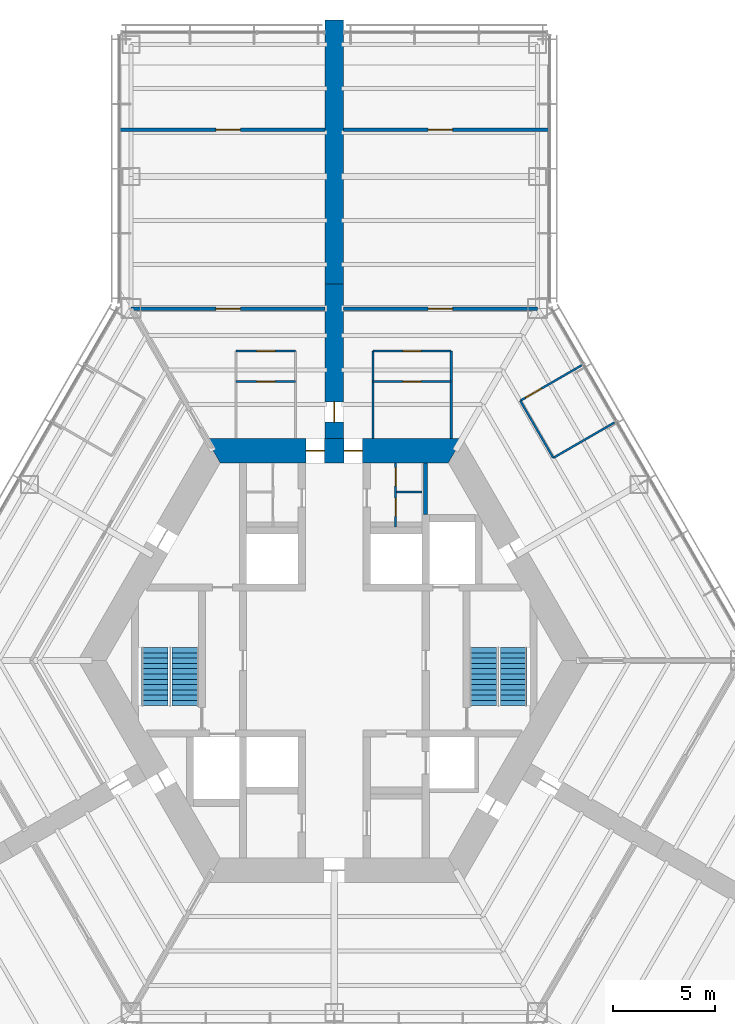
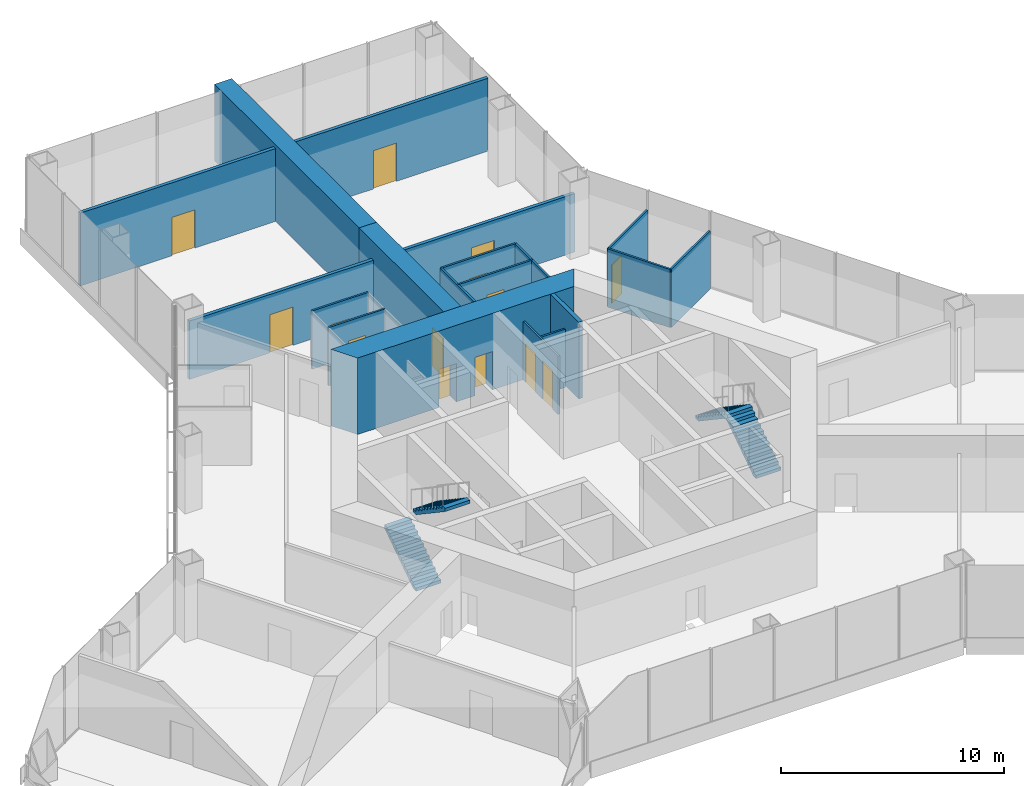
# One storey, part 13 of 16: 19 walls, 14 doors, 4 stair flights, 14 openings, 2 elements without a shape of their own.
"""IFC4 building model written with IfcOpenShell, lengths in metres."""

from ifc_helpers import new_model, si_unit, direction, frame, frame_2d, origin, place, context, subcontext, project, spatial, polyline, rectangle, outline, extrude, material, layer, layer_set, type_object, element, fill, aggregate, save


model = new_model("IFC4")

# Units and contexts
model_context = context("Model", 3, precision=1e-05, world=origin(), true_north=direction((0.0, 1.0)))
body_context = subcontext(model_context, "Body", "Model", "MODEL_VIEW")
ifc_project = project(units=[si_unit("LENGTHUNIT", "METRE"), si_unit("AREAUNIT", "SQUARE_METRE"), si_unit("VOLUMEUNIT", "CUBIC_METRE"), si_unit("PLANEANGLEUNIT", "RADIAN"), si_unit("MASSUNIT", "GRAM", prefix="KILO")], contexts=[model_context])

# Site, building, storey
site_placement = place(None, origin())
site = spatial("IfcSite", under=ifc_project, at=site_placement, CompositionType="ELEMENT")
building_placement = place(site_placement, origin())
building = spatial("IfcBuilding", under=site, at=building_placement, Name="Kasaneha Research Tower", CompositionType="ELEMENT")
storey_placement = place(building_placement, frame((0.0, 0.0, 14.199951171875)))
storey = spatial("IfcBuildingStorey", under=building, at=storey_placement, Name="L04", CompositionType="ELEMENT", Elevation=14.199951171875)

# Wall, openings, doors
ifc_material_1 = material(Name="Concrete Fc100", Category="concrete")
ifc_layer_1 = layer(ifc_material_1, 1.199951171875)
ifc_layer_set_1 = layer_set([ifc_layer_1], Name="Core wall 1200 Fc100")
wall_type_1 = type_object("IfcWallType", Name="Core wall 1200 Fc100", PredefinedType="SHEAR", material=ifc_layer_set_1)
wall_1_placement = place(storey_placement, frame((5.961181640625, 10.324951171875, 0.0), z_axis=(0.0, 0.0, 1.0), x_axis=(-1.0, 0.0, 0.0)))
wall_1 = element("IfcWall", 1, at=wall_1_placement, inside=storey, type_object=wall_type_1, Name="Core wall 090 L04", PredefinedType="SHEAR", context=body_context, shape_type="SweptSolid", body=[
    extrude(outline(polyline([(-0.346435546875, -0.60009765625), (4.57373046875, -0.60009765625), (5.4736328125, -0.60009765625), (6.44873046875, -0.60009765625), (7.3486328125, -0.60009765625), (12.268798828125, -0.60009765625), (11.575927734375, 0.60009765625), (7.3486328125, 0.60009765625), (6.44873046875, 0.60009765625), (5.4736328125, 0.60009765625), (4.57373046875, 0.60009765625), (0.346435546875, 0.60009765625), (-0.346435546875, -0.60009765625)])), origin(), (0.0, 0.0, 1.0), 4.199951171875),
])
opening_1_placement = place(wall_1_placement, frame((6.44873046875, 0.0, 0.0)))
opening_1 = element("IfcOpeningElement", 2, at=opening_1_placement, cuts=wall_1, Name="Opening L04-D01", PredefinedType="OPENING", context=body_context, shape_type="SweptSolid", body=[
    extrude(rectangle(XDim=0.89990234375, YDim=2.10009765625, at=frame_2d((0.449951171875, 1.050048828125))), frame((0.0, 0.60986328125, 0.0), z_axis=(0.0, -1.0, 0.0), x_axis=(1.0, 0.0, 0.0)), (0.0, 0.0, 1.0), 1.219970703125),
])
opening_2_placement = place(wall_1_placement, frame((4.57373046875, 0.0, 0.0)))
opening_2 = element("IfcOpeningElement", 3, at=opening_2_placement, cuts=wall_1, Name="Opening L04-D02", PredefinedType="OPENING", context=body_context, shape_type="SweptSolid", body=[
    extrude(rectangle(XDim=0.89990234375, YDim=2.10009765625, at=frame_2d((0.449951171875, 1.050048828125))), frame((0.0, 0.60986328125, 0.0), z_axis=(0.0, -1.0, 0.0), x_axis=(1.0, 0.0, 0.0)), (0.0, 0.0, 1.0), 1.219970703125),
])
ifc_material_2 = material(Name="Steel", Category="steel")
door_type_1 = type_object("IfcDoorType", Name="Toilet door FD20 900x2100", OperationType="NOTDEFINED", PredefinedType="DOOR", material=ifc_material_2)
door_1_placement = place(opening_1_placement, origin())
door_1 = element("IfcDoor", 4, at=door_1_placement, inside=storey, type_object=door_type_1, Name="Core door north 1 L04-D01", OperationType="SINGLE_SWING_RIGHT", OverallHeight=2.10009765625, OverallWidth=0.89990234375, PredefinedType="DOOR", context=body_context, shape_type="SweptSolid", body=[
    extrude(rectangle(XDim=0.89990234375, YDim=2.10009765625, at=frame_2d((0.449951171875, 1.050048828125))), frame((0.0, 0.02490234375, 0.0), z_axis=(0.0, -1.0, 0.0), x_axis=(1.0, 0.0, 0.0)), (0.0, 0.0, 1.0), 0.050048828125),
])
fill(opening_1, door_1)
door_2_placement = place(opening_2_placement, origin())
door_2 = element("IfcDoor", 5, at=door_2_placement, inside=storey, type_object=door_type_1, Name="Core door north 2 L04-D02", OperationType="SINGLE_SWING_LEFT", OverallHeight=2.10009765625, OverallWidth=0.89990234375, PredefinedType="DOOR", context=body_context, shape_type="SweptSolid", body=[
    extrude(rectangle(XDim=0.89990234375, YDim=2.10009765625, at=frame_2d((0.449951171875, 1.050048828125))), frame((0.0, 0.02490234375, 0.0), z_axis=(0.0, -1.0, 0.0), x_axis=(1.0, 0.0, 0.0)), (0.0, 0.0, 1.0), 0.050048828125),
])
fill(opening_2, door_2)

# Wall, opening, door
ifc_material_3 = material(Name="Gypsum board on steel studs, two layers each side", Category="steel")
ifc_layer_2 = layer(ifc_material_3, 0.175048828125)
ifc_layer_set_2 = layer_set([ifc_layer_2], Name="Laboratory fire partition 175")
wall_type_2 = type_object("IfcWallType", Name="Laboratory fire partition 175", PredefinedType="PARTITIONING", material=ifc_layer_set_2)
wall_2_placement = place(storey_placement, frame((0.449951171875, 17.320556640625, 0.0), z_axis=(0.0, 0.0, 1.0), x_axis=(1.0, 0.0, 0.0)))
wall_2 = element("IfcWall", 6, at=wall_2_placement, inside=storey, type_object=wall_type_2, Name="Laboratory fire partition LABA-E L04", PredefinedType="PARTITIONING", context=body_context, shape_type="SweptSolid", body=[
    extrude(rectangle(XDim=9.550048828125, YDim=0.175048828125, at=frame_2d((4.77490234375, 0.0))), origin(), (0.0, 0.0, 1.0), 3.2080078125),
])
opening_3_placement = place(wall_2_placement, frame((4.175048828125, 0.0, 0.0)))
opening_3 = element("IfcOpeningElement", 7, at=opening_3_placement, cuts=wall_2, Name="Opening L04-D29", PredefinedType="OPENING", context=body_context, shape_type="SweptSolid", body=[
    extrude(rectangle(XDim=1.199951171875, YDim=2.10009765625, at=frame_2d((0.60009765625, 1.050048828125))), frame((0.0, 0.09765625, 0.0), z_axis=(0.0, -1.0, 0.0), x_axis=(1.0, 0.0, 0.0)), (0.0, 0.0, 1.0), 0.195068359375),
])
ifc_material_4 = material(Name="Steel", Category="steel")
door_type_2 = type_object("IfcDoorType", Name="Laboratory door FD60 1200x2100", OperationType="DOUBLE_DOOR_SINGLE_SWING", PredefinedType="DOOR", material=ifc_material_4)
door_3_placement = place(opening_3_placement, origin())
door_3 = element("IfcDoor", 8, at=door_3_placement, inside=storey, type_object=door_type_2, Name="Laboratory door L04-D29", OperationType="DOUBLE_DOOR_SINGLE_SWING", OverallHeight=2.10009765625, OverallWidth=1.199951171875, PredefinedType="DOOR", context=body_context, shape_type="SweptSolid", body=[
    extrude(rectangle(XDim=1.199951171875, YDim=2.10009765625, at=frame_2d((0.60009765625, 1.050048828125))), frame((0.0, 0.02490234375, 0.0), z_axis=(0.0, -1.0, 0.0), x_axis=(1.0, 0.0, 0.0)), (0.0, 0.0, 1.0), 0.050048828125),
])
fill(opening_3, door_3)

wall_3_placement = place(storey_placement, frame((0.449951171875, 26.12060546875, 0.0), z_axis=(0.0, 0.0, 1.0), x_axis=(1.0, 0.0, 0.0)))
wall_3 = element("IfcWall", 9, at=wall_3_placement, inside=storey, type_object=wall_type_2, Name="Laboratory fire partition SUPA-E L04", PredefinedType="PARTITIONING", context=body_context, shape_type="SweptSolid", body=[
    extrude(rectangle(XDim=10.135009765625, YDim=0.175048828125, at=frame_2d((5.0673828125, 0.0))), origin(), (0.0, 0.0, 1.0), 4.0),
])
opening_4_placement = place(wall_3_placement, frame((4.175048828125, 0.0, 0.0)))
opening_4 = element("IfcOpeningElement", 10, at=opening_4_placement, cuts=wall_3, Name="Opening L04-D31", PredefinedType="OPENING", context=body_context, shape_type="SweptSolid", body=[
    extrude(rectangle(XDim=1.199951171875, YDim=2.10009765625, at=frame_2d((0.60009765625, 1.050048828125))), frame((0.0, 0.09765625, 0.0), z_axis=(0.0, -1.0, 0.0), x_axis=(1.0, 0.0, 0.0)), (0.0, 0.0, 1.0), 0.195068359375),
])
door_4_placement = place(opening_4_placement, origin())
door_4 = element("IfcDoor", 11, at=door_4_placement, inside=storey, type_object=door_type_2, Name="Laboratory support room door L04-D31", OperationType="DOUBLE_DOOR_SINGLE_SWING", OverallHeight=2.10009765625, OverallWidth=1.199951171875, PredefinedType="DOOR", context=body_context, shape_type="SweptSolid", body=[
    extrude(rectangle(XDim=1.199951171875, YDim=2.10009765625, at=frame_2d((0.60009765625, 1.050048828125))), frame((0.0, 0.02490234375, 0.0), z_axis=(0.0, -1.0, 0.0), x_axis=(1.0, 0.0, 0.0)), (0.0, 0.0, 1.0), 0.050048828125),
])
fill(opening_4, door_4)

wall_4_placement = place(storey_placement, frame((-0.449951171875, 17.320556640625, 0.0), z_axis=(0.0, 0.0, 1.0), x_axis=(-1.0, 0.0, 0.0)))
wall_4 = element("IfcWall", 12, at=wall_4_placement, inside=storey, type_object=wall_type_2, Name="Laboratory fire partition LABA-W L04", PredefinedType="PARTITIONING", context=body_context, shape_type="SweptSolid", body=[
    extrude(rectangle(XDim=9.550048828125, YDim=0.175048828125, at=frame_2d((4.77490234375, 0.0))), origin(), (0.0, 0.0, 1.0), 3.2080078125),
])
opening_5_placement = place(wall_4_placement, frame((4.175048828125, 0.0, 0.0)))
opening_5 = element("IfcOpeningElement", 13, at=opening_5_placement, cuts=wall_4, Name="Opening L04-D34", PredefinedType="OPENING", context=body_context, shape_type="SweptSolid", body=[
    extrude(rectangle(XDim=1.199951171875, YDim=2.10009765625, at=frame_2d((0.60009765625, 1.050048828125))), frame((0.0, 0.09765625, 0.0), z_axis=(0.0, -1.0, 0.0), x_axis=(1.0, 0.0, 0.0)), (0.0, 0.0, 1.0), 0.195068359375),
])
door_5_placement = place(opening_5_placement, origin())
door_5 = element("IfcDoor", 14, at=door_5_placement, inside=storey, type_object=door_type_2, Name="Laboratory door L04-D34", OperationType="DOUBLE_DOOR_SINGLE_SWING", OverallHeight=2.10009765625, OverallWidth=1.199951171875, PredefinedType="DOOR", context=body_context, shape_type="SweptSolid", body=[
    extrude(rectangle(XDim=1.199951171875, YDim=2.10009765625, at=frame_2d((0.60009765625, 1.050048828125))), frame((0.0, 0.02490234375, 0.0), z_axis=(0.0, -1.0, 0.0), x_axis=(1.0, 0.0, 0.0)), (0.0, 0.0, 1.0), 0.050048828125),
])
fill(opening_5, door_5)

wall_5_placement = place(storey_placement, frame((-0.449951171875, 26.12060546875, 0.0), z_axis=(0.0, 0.0, 1.0), x_axis=(-1.0, 0.0, 0.0)))
wall_5 = element("IfcWall", 15, at=wall_5_placement, inside=storey, type_object=wall_type_2, Name="Laboratory fire partition SUPA-W L04", PredefinedType="PARTITIONING", context=body_context, shape_type="SweptSolid", body=[
    extrude(rectangle(XDim=10.135009765625, YDim=0.175048828125, at=frame_2d((5.0673828125, 0.0))), origin(), (0.0, 0.0, 1.0), 4.0),
])
opening_6_placement = place(wall_5_placement, frame((4.175048828125, 0.0, 0.0)))
opening_6 = element("IfcOpeningElement", 16, at=opening_6_placement, cuts=wall_5, Name="Opening L04-D35", PredefinedType="OPENING", context=body_context, shape_type="SweptSolid", body=[
    extrude(rectangle(XDim=1.199951171875, YDim=2.10009765625, at=frame_2d((0.60009765625, 1.050048828125))), frame((0.0, 0.09765625, 0.0), z_axis=(0.0, -1.0, 0.0), x_axis=(1.0, 0.0, 0.0)), (0.0, 0.0, 1.0), 0.195068359375),
])
door_6_placement = place(opening_6_placement, origin())
door_6 = element("IfcDoor", 17, at=door_6_placement, inside=storey, type_object=door_type_2, Name="Laboratory support room door L04-D35", OperationType="DOUBLE_DOOR_SINGLE_SWING", OverallHeight=2.10009765625, OverallWidth=1.199951171875, PredefinedType="DOOR", context=body_context, shape_type="SweptSolid", body=[
    extrude(rectangle(XDim=1.199951171875, YDim=2.10009765625, at=frame_2d((0.60009765625, 1.050048828125))), frame((0.0, 0.02490234375, 0.0), z_axis=(0.0, -1.0, 0.0), x_axis=(1.0, 0.0, 0.0)), (0.0, 0.0, 1.0), 0.050048828125),
])
fill(opening_6, door_6)

# Wall, openings, doors
ifc_material_5 = material(Name="Gypsum board on steel studs, one layer each side", Category="steel")
ifc_layer_3 = layer(ifc_material_5, 0.10009765625)
ifc_layer_set_3 = layer_set([ifc_layer_3], Name="Office partition 100")
wall_type_3 = type_object("IfcWallType", Name="Office partition 100", PredefinedType="PARTITIONING", material=ifc_layer_set_3)
wall_6_placement = place(storey_placement, frame((3.02490234375, 6.574951171875, 0.0), z_axis=(0.0, 0.0, 1.0), x_axis=(0.0, 1.0, 0.0)))
wall_6 = element("IfcWall", 18, at=wall_6_placement, inside=storey, type_object=wall_type_3, Name="Office partition TBF1 L04", PredefinedType="PARTITIONING", context=body_context, shape_type="SweptSolid", body=[
    extrude(rectangle(XDim=3.150146484375, YDim=0.10009765625, at=frame_2d((1.5751953125, 0.0))), origin(), (0.0, 0.0, 1.0), 3.199951171875),
])
opening_7_placement = place(wall_6_placement, frame((0.512451171875, 0.0, 0.0)))
opening_7 = element("IfcOpeningElement", 19, at=opening_7_placement, cuts=wall_6, Name="Opening L04-D22", PredefinedType="OPENING", context=body_context, shape_type="SweptSolid", body=[
    extrude(rectangle(XDim=0.89990234375, YDim=2.10009765625, at=frame_2d((0.449951171875, 1.050048828125))), frame((0.0, 0.06005859375, 0.0), z_axis=(0.0, -1.0, 0.0), x_axis=(1.0, 0.0, 0.0)), (0.0, 0.0, 1.0), 0.1201171875),
])
opening_8_placement = place(wall_6_placement, frame((2.012451171875, 0.0, 0.0)))
opening_8 = element("IfcOpeningElement", 20, at=opening_8_placement, cuts=wall_6, Name="Opening L04-D23", PredefinedType="OPENING", context=body_context, shape_type="SweptSolid", body=[
    extrude(rectangle(XDim=0.89990234375, YDim=2.10009765625, at=frame_2d((0.449951171875, 1.050048828125))), frame((0.0, 0.06005859375, 0.0), z_axis=(0.0, -1.0, 0.0), x_axis=(1.0, 0.0, 0.0)), (0.0, 0.0, 1.0), 0.1201171875),
])
ifc_material_6 = material(Name="Steel", Category="steel")
door_type_3 = type_object("IfcDoorType", Name="Toilet lobby door FD30 900x2100", OperationType="NOTDEFINED", PredefinedType="DOOR", material=ifc_material_6)
door_7_placement = place(opening_7_placement, origin())
door_7 = element("IfcDoor", 21, at=door_7_placement, inside=storey, type_object=door_type_3, Name="Women's WC door L04-D22", OperationType="SINGLE_SWING_RIGHT", OverallHeight=2.10009765625, OverallWidth=0.89990234375, PredefinedType="DOOR", context=body_context, shape_type="SweptSolid", body=[
    extrude(rectangle(XDim=0.89990234375, YDim=2.10009765625, at=frame_2d((0.449951171875, 1.050048828125))), frame((0.0, 0.02490234375, 0.0), z_axis=(0.0, -1.0, 0.0), x_axis=(1.0, 0.0, 0.0)), (0.0, 0.0, 1.0), 0.050048828125),
])
fill(opening_7, door_7)
door_8_placement = place(opening_8_placement, origin())
door_8 = element("IfcDoor", 22, at=door_8_placement, inside=storey, type_object=door_type_3, Name="Staff WC door L04-D23", OperationType="SINGLE_SWING_RIGHT", OverallHeight=2.10009765625, OverallWidth=0.89990234375, PredefinedType="DOOR", context=body_context, shape_type="SweptSolid", body=[
    extrude(rectangle(XDim=0.89990234375, YDim=2.10009765625, at=frame_2d((0.449951171875, 1.050048828125))), frame((0.0, 0.02490234375, 0.0), z_axis=(0.0, -1.0, 0.0), x_axis=(1.0, 0.0, 0.0)), (0.0, 0.0, 1.0), 0.050048828125),
])
fill(opening_8, door_8)

# Wall
wall_7_placement = place(storey_placement, frame((3.074951171875, 8.300048828125, 0.0), z_axis=(0.0, 0.0, 1.0), x_axis=(1.0, 0.0, 0.0)))
element("IfcWall", 23, at=wall_7_placement, inside=storey, type_object=wall_type_3, Name="Office partition TBF2 L04", PredefinedType="PARTITIONING", context=body_context, shape_type="SweptSolid", body=[
    extrude(rectangle(XDim=1.25, YDim=0.10009765625, at=frame_2d((0.625, 0.0))), origin(), (0.0, 0.0, 1.0), 3.199951171875),
])

# Wall, opening, door
wall_8_placement = place(storey_placement, frame((1.89990234375, 13.72509765625, 0.0), z_axis=(0.0, 0.0, 1.0), x_axis=(1.0, 0.0, 0.0)))
wall_8 = element("IfcWall", 24, at=wall_8_placement, inside=storey, type_object=wall_type_3, Name="Office partition WCAE1 L04", PredefinedType="PARTITIONING", context=body_context, shape_type="SweptSolid", body=[
    extrude(rectangle(XDim=3.857177734375, YDim=0.10009765625, at=frame_2d((1.9287109375, 0.0))), origin(), (0.0, 0.0, 1.0), 3.199951171875),
])
opening_9_placement = place(wall_8_placement, frame((1.478515625, 0.0, 0.0)))
opening_9 = element("IfcOpeningElement", 25, at=opening_9_placement, cuts=wall_8, Name="Opening L04-D27", PredefinedType="OPENING", context=body_context, shape_type="SweptSolid", body=[
    extrude(rectangle(XDim=0.89990234375, YDim=2.10009765625, at=frame_2d((0.449951171875, 1.050048828125))), frame((0.0, 0.06005859375, 0.0), z_axis=(0.0, -1.0, 0.0), x_axis=(1.0, 0.0, 0.0)), (0.0, 0.0, 1.0), 0.1201171875),
])
door_9_placement = place(opening_9_placement, origin())
door_9 = element("IfcDoor", 26, at=door_9_placement, inside=storey, type_object=door_type_3, Name="Women's WC door L04-D27", OperationType="SINGLE_SWING_RIGHT", OverallHeight=2.10009765625, OverallWidth=0.89990234375, PredefinedType="DOOR", context=body_context, shape_type="SweptSolid", body=[
    extrude(rectangle(XDim=0.89990234375, YDim=2.10009765625, at=frame_2d((0.449951171875, 1.050048828125))), frame((0.0, 0.02490234375, 0.0), z_axis=(0.0, -1.0, 0.0), x_axis=(1.0, 0.0, 0.0)), (0.0, 0.0, 1.0), 0.050048828125),
])
fill(opening_9, door_9)

wall_9_placement = place(storey_placement, frame((1.89990234375, 15.22509765625, 0.0), z_axis=(0.0, 0.0, 1.0), x_axis=(1.0, 0.0, 0.0)))
wall_9 = element("IfcWall", 27, at=wall_9_placement, inside=storey, type_object=wall_type_3, Name="Office partition WCAE4 L04", PredefinedType="PARTITIONING", context=body_context, shape_type="SweptSolid", body=[
    extrude(rectangle(XDim=3.857177734375, YDim=0.10009765625, at=frame_2d((1.9287109375, 0.0))), origin(), (0.0, 0.0, 1.0), 3.199951171875),
])
opening_10_placement = place(wall_9_placement, frame((1.478515625, 0.0, 0.0)))
opening_10 = element("IfcOpeningElement", 28, at=opening_10_placement, cuts=wall_9, Name="Opening L04-D28", PredefinedType="OPENING", context=body_context, shape_type="SweptSolid", body=[
    extrude(rectangle(XDim=0.89990234375, YDim=2.10009765625, at=frame_2d((0.449951171875, 1.050048828125))), frame((0.0, 0.06005859375, 0.0), z_axis=(0.0, -1.0, 0.0), x_axis=(1.0, 0.0, 0.0)), (0.0, 0.0, 1.0), 0.1201171875),
])
door_10_placement = place(opening_10_placement, origin())
door_10 = element("IfcDoor", 29, at=door_10_placement, inside=storey, type_object=door_type_3, Name="Toilet lobby door L04-D28", OperationType="SINGLE_SWING_RIGHT", OverallHeight=2.10009765625, OverallWidth=0.89990234375, PredefinedType="DOOR", context=body_context, shape_type="SweptSolid", body=[
    extrude(rectangle(XDim=0.89990234375, YDim=2.10009765625, at=frame_2d((0.449951171875, 1.050048828125))), frame((0.0, 0.02490234375, 0.0), z_axis=(0.0, -1.0, 0.0), x_axis=(1.0, 0.0, 0.0)), (0.0, 0.0, 1.0), 0.050048828125),
])
fill(opening_10, door_10)

# Walls
for number, where, z_axis, x_axis, name in (
    (30, (1.89990234375, 10.925048828125, 0.0), (0.0, 0.0, 1.0), (0.0, 1.0, 0.0), "Office partition WCAE2 L04"),
    (31, (5.757080078125, 10.925048828125, 0.0), (0.0, 0.0, 1.0), (0.0, 1.0, 0.0), "Office partition WCAE3 L04"),
):
    element("IfcWall", number, at=place(storey_placement, frame(where, z_axis=z_axis, x_axis=x_axis)), inside=storey, type_object=wall_type_3, Name=name, PredefinedType="PARTITIONING", context=body_context, shape_type="SweptSolid", body=[
        extrude(rectangle(XDim=4.300048828125, YDim=0.10009765625, at=frame_2d((2.14990234375, 0.0))), origin(), (0.0, 0.0, 1.0), 3.199951171875),
    ])

# Wall, opening, door
wall_10_placement = place(storey_placement, frame((9.155517578125, 12.783203125, 0.0), z_axis=(0.0, 0.0, 1.0), x_axis=(0.866013176292, 0.50002117804, 0.0)))
wall_10 = element("IfcWall", 32, at=wall_10_placement, inside=storey, type_object=wall_type_3, Name="Office partition FAE01 L04", PredefinedType="PARTITIONING", context=body_context, shape_type="SweptSolid", body=[
    extrude(rectangle(XDim=3.489990234375, YDim=0.10009765625, at=frame_2d((1.7451171875, 0.0))), origin(), (0.0, 0.0, 1.0), 3.199951171875),
])
opening_11_placement = place(wall_10_placement, frame((0.300048828125, 0.0, 0.0)))
opening_11 = element("IfcOpeningElement", 33, at=opening_11_placement, cuts=wall_10, Name="Opening L04-D30", PredefinedType="OPENING", context=body_context, shape_type="SweptSolid", body=[
    extrude(rectangle(XDim=0.89990234375, YDim=2.10009765625, at=frame_2d((0.449951171875, 1.050048828125))), frame((0.0, 0.06005859375, 0.0), z_axis=(0.0, -1.0, 0.0), x_axis=(1.0, 0.0, 0.0)), (0.0, 0.0, 1.0), 0.1201171875),
])
ifc_material_7 = material(Name="Timber veneer", Category="wood")
door_type_4 = type_object("IfcDoorType", Name="Office door 900x2100", OperationType="SINGLE_SWING_LEFT", PredefinedType="DOOR", material=ifc_material_7)
door_11_placement = place(opening_11_placement, origin())
door_11 = element("IfcDoor", 34, at=door_11_placement, inside=storey, type_object=door_type_4, Name="Specimen preparation room door L04-D30", OperationType="SINGLE_SWING_LEFT", OverallHeight=2.10009765625, OverallWidth=0.89990234375, PredefinedType="DOOR", context=body_context, shape_type="SweptSolid", body=[
    extrude(rectangle(XDim=0.89990234375, YDim=2.10009765625, at=frame_2d((0.449951171875, 1.050048828125))), frame((0.0, 0.02490234375, 0.0), z_axis=(0.0, -1.0, 0.0), x_axis=(1.0, 0.0, 0.0)), (0.0, 0.0, 1.0), 0.050048828125),
])
fill(opening_11, door_11)

# Walls
wall_11_placement = place(storey_placement, frame((10.77880859375, 9.9716796875, 0.0), z_axis=(0.0, 0.0, 1.0), x_axis=(-0.500013214685, 0.866017774148, 0.0)))
element("IfcWall", 35, at=wall_11_placement, inside=storey, type_object=wall_type_3, Name="Office partition FAE02 L04", PredefinedType="PARTITIONING", context=body_context, shape_type="SweptSolid", body=[
    extrude(rectangle(XDim=3.24658203125, YDim=0.10009765625, at=frame_2d((1.623291015625, 0.0))), origin(), (0.0, 0.0, 1.0), 3.199951171875),
])
wall_12_placement = place(storey_placement, frame((13.79248046875, 11.711669921875, 0.0), z_axis=(0.0, 0.0, 1.0), x_axis=(-0.86601968407, -0.500009906705, 0.0)))
element("IfcWall", 36, at=wall_12_placement, inside=storey, type_object=wall_type_3, Name="Office partition FAE03 L04", PredefinedType="PARTITIONING", context=body_context, shape_type="SweptSolid", body=[
    extrude(rectangle(XDim=3.47998046875, YDim=0.10009765625, at=frame_2d((1.739990234375, 0.0))), origin(), (0.0, 0.0, 1.0), 3.199951171875),
])

# Wall, opening, door
wall_13_placement = place(storey_placement, frame((-4.82861328125, 13.72509765625, 0.0), z_axis=(0.0, 0.0, 1.0), x_axis=(1.0, 0.0, 0.0)))
wall_13 = element("IfcWall", 37, at=wall_13_placement, inside=storey, type_object=wall_type_3, Name="Office partition WCAW1 L04", PredefinedType="PARTITIONING", context=body_context, shape_type="SweptSolid", body=[
    extrude(rectangle(XDim=2.9287109375, YDim=0.10009765625, at=frame_2d((1.46435546875, 0.0))), origin(), (0.0, 0.0, 1.0), 3.199951171875),
])
opening_12_placement = place(wall_13_placement, frame((1.01416015625, 0.0, 0.0)))
opening_12 = element("IfcOpeningElement", 38, at=opening_12_placement, cuts=wall_13, Name="Opening L04-D32", PredefinedType="OPENING", context=body_context, shape_type="SweptSolid", body=[
    extrude(rectangle(XDim=0.89990234375, YDim=2.10009765625, at=frame_2d((0.449951171875, 1.050048828125))), frame((0.0, 0.06005859375, 0.0), z_axis=(0.0, -1.0, 0.0), x_axis=(1.0, 0.0, 0.0)), (0.0, 0.0, 1.0), 0.1201171875),
])
door_12_placement = place(opening_12_placement, origin())
door_12 = element("IfcDoor", 39, at=door_12_placement, inside=storey, type_object=door_type_3, Name="Men's WC door L04-D32", OperationType="SINGLE_SWING_LEFT", OverallHeight=2.10009765625, OverallWidth=0.89990234375, PredefinedType="DOOR", context=body_context, shape_type="SweptSolid", body=[
    extrude(rectangle(XDim=0.89990234375, YDim=2.10009765625, at=frame_2d((0.449951171875, 1.050048828125))), frame((0.0, 0.02490234375, 0.0), z_axis=(0.0, -1.0, 0.0), x_axis=(1.0, 0.0, 0.0)), (0.0, 0.0, 1.0), 0.050048828125),
])
fill(opening_12, door_12)

wall_14_placement = place(storey_placement, frame((-4.82861328125, 15.22509765625, 0.0), z_axis=(0.0, 0.0, 1.0), x_axis=(1.0, 0.0, 0.0)))
wall_14 = element("IfcWall", 40, at=wall_14_placement, inside=storey, type_object=wall_type_3, Name="Office partition WCAW4 L04", PredefinedType="PARTITIONING", context=body_context, shape_type="SweptSolid", body=[
    extrude(rectangle(XDim=2.9287109375, YDim=0.10009765625, at=frame_2d((1.46435546875, 0.0))), origin(), (0.0, 0.0, 1.0), 3.199951171875),
])
opening_13_placement = place(wall_14_placement, frame((1.01416015625, 0.0, 0.0)))
opening_13 = element("IfcOpeningElement", 41, at=opening_13_placement, cuts=wall_14, Name="Opening L04-D33", PredefinedType="OPENING", context=body_context, shape_type="SweptSolid", body=[
    extrude(rectangle(XDim=0.89990234375, YDim=2.10009765625, at=frame_2d((0.449951171875, 1.050048828125))), frame((0.0, 0.06005859375, 0.0), z_axis=(0.0, -1.0, 0.0), x_axis=(1.0, 0.0, 0.0)), (0.0, 0.0, 1.0), 0.1201171875),
])
door_13_placement = place(opening_13_placement, origin())
door_13 = element("IfcDoor", 42, at=door_13_placement, inside=storey, type_object=door_type_3, Name="Toilet lobby door L04-D33", OperationType="SINGLE_SWING_LEFT", OverallHeight=2.10009765625, OverallWidth=0.89990234375, PredefinedType="DOOR", context=body_context, shape_type="SweptSolid", body=[
    extrude(rectangle(XDim=0.89990234375, YDim=2.10009765625, at=frame_2d((0.449951171875, 1.050048828125))), frame((0.0, 0.02490234375, 0.0), z_axis=(0.0, -1.0, 0.0), x_axis=(1.0, 0.0, 0.0)), (0.0, 0.0, 1.0), 0.050048828125),
])
fill(opening_13, door_13)

# Wall
ifc_material_8 = material(Name="Concrete block", Category="concrete")
ifc_layer_4 = layer(ifc_material_8, 0.199951171875)
ifc_layer_set_4 = layer_set([ifc_layer_4], Name="Riser enclosure wall 200")
wall_type_4 = type_object("IfcWallType", Name="Riser enclosure wall 200", PredefinedType="STANDARD", material=ifc_layer_set_4)
wall_15_placement = place(storey_placement, frame((4.5, 7.175048828125, 0.0), z_axis=(0.0, 0.0, 1.0), x_axis=(0.0, 1.0, 0.0)))
element("IfcWall", 43, at=wall_15_placement, inside=storey, type_object=wall_type_4, Name="Riser enclosure wall L04", PredefinedType="STANDARD", context=body_context, shape_type="SweptSolid", body=[
    extrude(rectangle(XDim=2.550048828125, YDim=0.199951171875, at=frame_2d((1.27490234375, 0.0))), origin(), (0.0, 0.0, 1.0), 4.199951171875),
])

# Wall, opening, door
ifc_material_9 = material(Name="Concrete Fc100", Category="concrete")
ifc_layer_5 = layer(ifc_material_9, 0.89990234375)
ifc_layer_set_5 = layer_set([ifc_layer_5], Name="Spine wall 900 Fc100")
wall_type_5 = type_object("IfcWallType", Name="Spine wall 900 Fc100", PredefinedType="SHEAR", material=ifc_layer_set_5)
wall_16_placement = place(storey_placement, frame((0.0, 10.925048828125, 0.0), z_axis=(0.0, 0.0, 1.0), x_axis=(0.0, 1.0, 0.0)))
wall_16 = element("IfcWall", 44, at=wall_16_placement, inside=storey, type_object=wall_type_5, Name="Spine wall A L04", PredefinedType="SHEAR", context=body_context, shape_type="SweptSolid", body=[
    extrude(rectangle(XDim=7.595458984375, YDim=0.89990234375, at=frame_2d((3.7978515625, 0.0))), origin(), (0.0, 0.0, 1.0), 4.199951171875),
])
opening_14_placement = place(wall_16_placement, frame((0.800048828125, 0.0, 0.0)))
opening_14 = element("IfcOpeningElement", 45, at=opening_14_placement, cuts=wall_16, Name="Opening L04-D17", PredefinedType="OPENING", context=body_context, shape_type="SweptSolid", body=[
    extrude(rectangle(XDim=1.0, YDim=2.10009765625, at=frame_2d((0.5, 1.050048828125))), frame((0.0, 0.4599609375, 0.0), z_axis=(0.0, -1.0, 0.0), x_axis=(1.0, 0.0, 0.0)), (0.0, 0.0, 1.0), 0.919921875),
])
ifc_material_10 = material(Name="Steel", Category="steel")
door_type_5 = type_object("IfcDoorType", Name="Specified fire door FD60 1000x2100", OperationType="NOTDEFINED", PredefinedType="DOOR", material=ifc_material_10)
door_14_placement = place(opening_14_placement, origin())
door_14 = element("IfcDoor", 46, at=door_14_placement, inside=storey, type_object=door_type_5, Name="Spine doorway A L04-D17", OperationType="SINGLE_SWING_LEFT", OverallHeight=2.10009765625, OverallWidth=1.0, PredefinedType="DOOR", context=body_context, shape_type="SweptSolid", body=[
    extrude(rectangle(XDim=1.0, YDim=2.10009765625, at=frame_2d((0.5, 1.050048828125))), frame((0.0, 0.02490234375, 0.0), z_axis=(0.0, -1.0, 0.0), x_axis=(1.0, 0.0, 0.0)), (0.0, 0.0, 1.0), 0.050048828125),
])
fill(opening_14, door_14)

# Wall
wall_17_placement = place(storey_placement, frame((0.0, 18.5205078125, 0.0), z_axis=(0.0, 0.0, 1.0), x_axis=(0.0, 1.0, 0.0)))
element("IfcWall", 47, at=wall_17_placement, inside=storey, type_object=wall_type_5, Name="Spine wall A wing L04", PredefinedType="SHEAR", context=body_context, shape_type="SweptSolid", body=[
    extrude(rectangle(XDim=13.0, YDim=0.89990234375, at=frame_2d((6.5, 0.0))), origin(), (0.0, 0.0, 1.0), 4.199951171875),
])

# Stair, stair flights
ifc_material_11 = material(Name="Concrete Fc24", Category="concrete")
stair_type = type_object("IfcStairType", Name="Half-turn stair 24 risers", PredefinedType="HALF_TURN_STAIR", material=ifc_material_11)
stair_1_placement = place(storey_placement, origin())
stair_1 = element("IfcStair", 48, at=stair_1_placement, inside=storey, type_object=stair_type, Name="Stair 1 L04", PredefinedType="HALF_TURN_STAIR")
ifc_material_12 = material(Name="Concrete Fc24", Category="concrete")
stair_flight_type = type_object("IfcStairFlightType", Name="Stair flight 12 risers 175.0", PredefinedType="STRAIGHT", material=ifc_material_12)
stair_flight_1_placement = place(storey_placement, frame((8.824951171875, -2.22509765625, 0.0), z_axis=(0.0, 0.0, 1.0), x_axis=(0.0, 1.0, 0.0)))
stair_flight_1 = element("IfcStairFlight", 49, at=stair_flight_1_placement, type_object=stair_flight_type, Name="ST1-24R flight 1", NumberOfRisers=12, NumberOfTreads=11, PredefinedType="STRAIGHT", RiserHeight=0.175, TreadLength=0.26, context=body_context, shape_type="SweptSolid", body=[
    extrude(outline(polyline([(0.0, 0.0), (0.0, 0.175048828125), (0.260009765625, 0.175048828125), (0.260009765625, 0.35009765625), (0.52001953125, 0.35009765625), (0.52001953125, 0.52490234375), (0.780029296875, 0.52490234375), (0.780029296875, 0.699951171875), (1.0400390625, 0.699951171875), (1.0400390625, 0.875), (1.300048828125, 0.875), (1.300048828125, 1.050048828125), (1.56005859375, 1.050048828125), (1.56005859375, 1.22509765625), (1.820068359375, 1.22509765625), (1.820068359375, 1.39990234375), (2.080078125, 1.39990234375), (2.080078125, 1.574951171875), (2.340087890625, 1.574951171875), (2.340087890625, 1.75), (2.60009765625, 1.75), (2.60009765625, 1.925048828125), (2.860107421875, 1.925048828125), (2.860107421875, 2.10009765625), (2.860107421875, 1.744384765625), (0.2685546875, 0.0), (0.0, 0.0)])), frame((0.0, 0.64990234375, 0.0), z_axis=(0.0, -1.0, 0.0), x_axis=(1.0, 0.0, 0.0)), (0.0, 0.0, 1.0), 1.300048828125),
])
stair_flight_2_placement = place(storey_placement, frame((7.324951171875, 0.635009765625, 2.10009765625), z_axis=(0.0, 0.0, 1.0), x_axis=(0.0, -1.0, 0.0)))
stair_flight_2 = element("IfcStairFlight", 50, at=stair_flight_2_placement, type_object=stair_flight_type, Name="ST1-24R flight 2", NumberOfRisers=12, NumberOfTreads=11, PredefinedType="STRAIGHT", RiserHeight=0.175, TreadLength=0.26, context=body_context, shape_type="SweptSolid", body=[
    extrude(outline(polyline([(0.0, 0.0), (0.0, 0.175048828125), (0.260009765625, 0.175048828125), (0.260009765625, 0.35009765625), (0.52001953125, 0.35009765625), (0.52001953125, 0.52490234375), (0.780029296875, 0.52490234375), (0.780029296875, 0.699951171875), (1.0400390625, 0.699951171875), (1.0400390625, 0.875), (1.300048828125, 0.875), (1.300048828125, 1.050048828125), (1.56005859375, 1.050048828125), (1.56005859375, 1.22509765625), (1.820068359375, 1.22509765625), (1.820068359375, 1.39990234375), (2.080078125, 1.39990234375), (2.080078125, 1.574951171875), (2.340087890625, 1.574951171875), (2.340087890625, 1.75), (2.60009765625, 1.75), (2.60009765625, 1.925048828125), (2.860107421875, 1.925048828125), (2.860107421875, 2.10009765625), (2.860107421875, 1.744384765625), (0.2685546875, 0.0), (0.0, 0.0)])), frame((0.0, 0.64990234375, 0.0), z_axis=(0.0, -1.0, 0.0), x_axis=(1.0, 0.0, 0.0)), (0.0, 0.0, 1.0), 1.300048828125),
])
aggregate(stair_1, [stair_flight_1, stair_flight_2])

stair_2_placement = place(storey_placement, origin())
stair_2 = element("IfcStair", 51, at=stair_2_placement, inside=storey, type_object=stair_type, Name="Stair 2 L04", PredefinedType="HALF_TURN_STAIR")
stair_flight_3_placement = place(storey_placement, frame((-8.824951171875, -2.22509765625, 0.0), z_axis=(0.0, 0.0, 1.0), x_axis=(0.0, 1.0, 0.0)))
stair_flight_3 = element("IfcStairFlight", 52, at=stair_flight_3_placement, type_object=stair_flight_type, Name="ST2-24R flight 1", NumberOfRisers=12, NumberOfTreads=11, PredefinedType="STRAIGHT", RiserHeight=0.175, TreadLength=0.26, context=body_context, shape_type="SweptSolid", body=[
    extrude(outline(polyline([(0.0, 0.0), (0.0, 0.175048828125), (0.260009765625, 0.175048828125), (0.260009765625, 0.35009765625), (0.52001953125, 0.35009765625), (0.52001953125, 0.52490234375), (0.780029296875, 0.52490234375), (0.780029296875, 0.699951171875), (1.0400390625, 0.699951171875), (1.0400390625, 0.875), (1.300048828125, 0.875), (1.300048828125, 1.050048828125), (1.56005859375, 1.050048828125), (1.56005859375, 1.22509765625), (1.820068359375, 1.22509765625), (1.820068359375, 1.39990234375), (2.080078125, 1.39990234375), (2.080078125, 1.574951171875), (2.340087890625, 1.574951171875), (2.340087890625, 1.75), (2.60009765625, 1.75), (2.60009765625, 1.925048828125), (2.860107421875, 1.925048828125), (2.860107421875, 2.10009765625), (2.860107421875, 1.744384765625), (0.2685546875, 0.0), (0.0, 0.0)])), frame((0.0, 0.64990234375, 0.0), z_axis=(0.0, -1.0, 0.0), x_axis=(1.0, 0.0, 0.0)), (0.0, 0.0, 1.0), 1.300048828125),
])
stair_flight_4_placement = place(storey_placement, frame((-7.324951171875, 0.635009765625, 2.10009765625), z_axis=(0.0, 0.0, 1.0), x_axis=(0.0, -1.0, 0.0)))
stair_flight_4 = element("IfcStairFlight", 53, at=stair_flight_4_placement, type_object=stair_flight_type, Name="ST2-24R flight 2", NumberOfRisers=12, NumberOfTreads=11, PredefinedType="STRAIGHT", RiserHeight=0.175, TreadLength=0.26, context=body_context, shape_type="SweptSolid", body=[
    extrude(outline(polyline([(0.0, 0.0), (0.0, 0.175048828125), (0.260009765625, 0.175048828125), (0.260009765625, 0.35009765625), (0.52001953125, 0.35009765625), (0.52001953125, 0.52490234375), (0.780029296875, 0.52490234375), (0.780029296875, 0.699951171875), (1.0400390625, 0.699951171875), (1.0400390625, 0.875), (1.300048828125, 0.875), (1.300048828125, 1.050048828125), (1.56005859375, 1.050048828125), (1.56005859375, 1.22509765625), (1.820068359375, 1.22509765625), (1.820068359375, 1.39990234375), (2.080078125, 1.39990234375), (2.080078125, 1.574951171875), (2.340087890625, 1.574951171875), (2.340087890625, 1.75), (2.60009765625, 1.75), (2.60009765625, 1.925048828125), (2.860107421875, 1.925048828125), (2.860107421875, 2.10009765625), (2.860107421875, 1.744384765625), (0.2685546875, 0.0), (0.0, 0.0)])), frame((0.0, 0.64990234375, 0.0), z_axis=(0.0, -1.0, 0.0), x_axis=(1.0, 0.0, 0.0)), (0.0, 0.0, 1.0), 1.300048828125),
])
aggregate(stair_2, [stair_flight_3, stair_flight_4])

save(model, "model.ifc")
